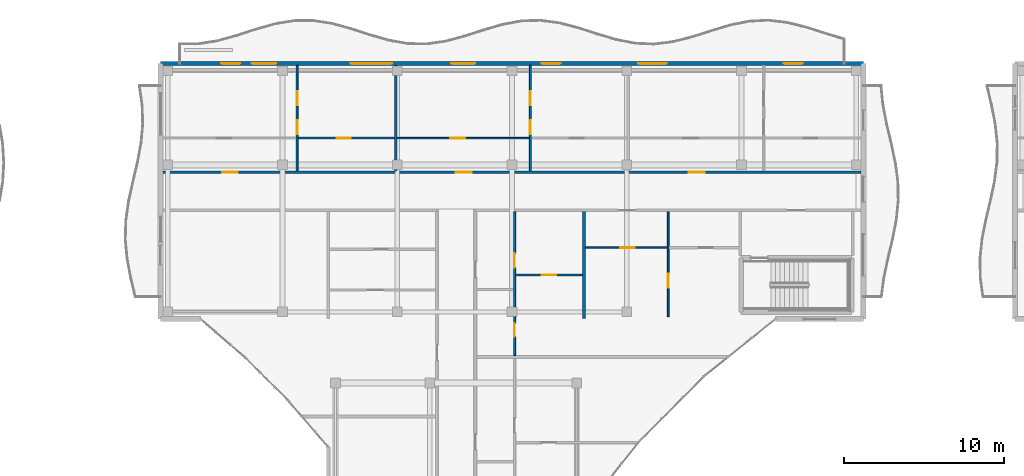
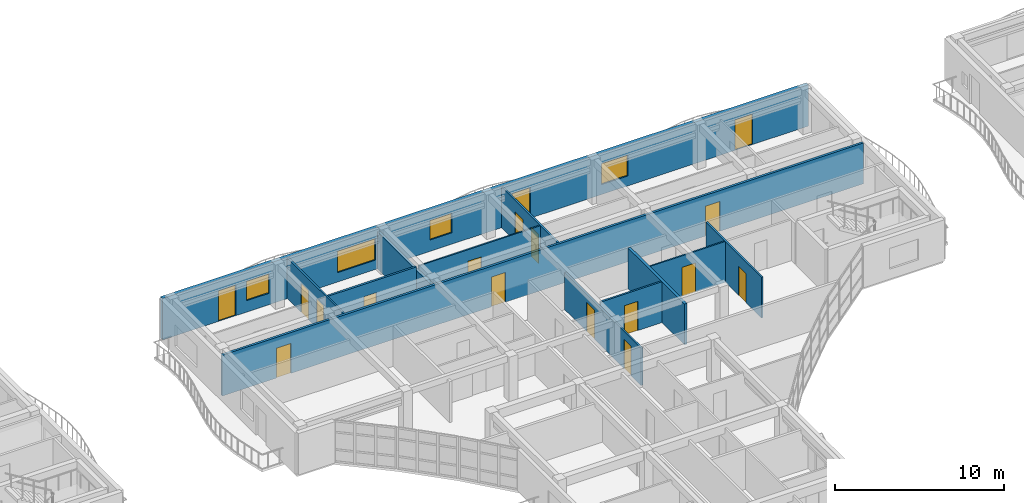
# One storey, part 40 of 72: 17 doors, 12 walls, 4 windows, 21 openings.
"""IFC4 building model written with IfcOpenShell, lengths in metres."""

from ifc_helpers import new_model, si_unit, direction, frame, frame_2d, origin, place, context, subcontext, project, spatial, rectangle, extrude, material, layer, layer_set, type_object, element, fill, save


model = new_model("IFC4")

# Units and contexts
model_context = context("Model", 3, precision=1e-05, world=origin(), true_north=direction((0.0, 1.0)))
body_context = subcontext(model_context, "Body", "Model", "MODEL_VIEW")
ifc_project = project(units=[si_unit("LENGTHUNIT", "METRE"), si_unit("AREAUNIT", "SQUARE_METRE"), si_unit("VOLUMEUNIT", "CUBIC_METRE"), si_unit("PLANEANGLEUNIT", "RADIAN"), si_unit("MASSUNIT", "GRAM", prefix="KILO")], contexts=[model_context])

# Site, building, storey
site_placement = place(None, origin())
site = spatial("IfcSite", under=ifc_project, at=site_placement, CompositionType="ELEMENT")
building_placement = place(site_placement, origin())
building = spatial("IfcBuilding", under=site, at=building_placement, Name="Keldmere Railside Commons", CompositionType="ELEMENT")
storey_placement = place(building_placement, frame((0.0, 0.0, 16.9599609375)))
storey = spatial("IfcBuildingStorey", under=building, at=storey_placement, Name="L05", CompositionType="ELEMENT", Elevation=16.9599609375)

# Walls
ifc_material_1 = material(Name="Acoustic Gypsum Board Partition", Category="gypsum")
ifc_layer_1 = layer(ifc_material_1, 0.179931640625, Name="Acoustic Demising Partition 180")
ifc_layer_set_1 = layer_set([ifc_layer_1], Name="Acoustic Gypsum Board Partition")
wall_type_1 = type_object("IfcWallType", Name="Acoustic Demising Partition 180", PredefinedType="PARTITIONING", material=ifc_layer_set_1)
wall_1_placement = place(storey_placement, frame((120.0, 100.050048828125, 0.0), z_axis=(0.0, 0.0, 1.0), x_axis=(0.0, 1.0, 0.0)))
element("IfcWall", 1, at=wall_1_placement, inside=storey, type_object=wall_type_1, Name="IW-1 IW-L05-1100", PredefinedType="PARTITIONING", context=body_context, shape_type="SweptSolid", body=[
    extrude(rectangle(XDim=6.669921875, YDim=0.179931640625, at=frame_2d((3.3349609375, 0.0))), origin(), (0.0, 0.0, 1.0), 2.93505859375),
])
wall_2_placement = place(storey_placement, frame((108.219970703125, 109.280029296875, 0.0), z_axis=(0.0, 0.0, 1.0), x_axis=(0.0, 1.0, 0.0)))
element("IfcWall", 2, at=wall_2_placement, inside=storey, type_object=wall_type_1, Name="IW-1 IW-L05-1121", PredefinedType="PARTITIONING", context=body_context, shape_type="SweptSolid", body=[
    extrude(rectangle(XDim=6.599853515625, YDim=0.179931640625, at=frame_2d((3.2998046875, 0.0))), origin(), (0.0, 0.0, 1.0), 2.679931640625),
])

# Wall, openings, doors
ifc_layer_2 = layer(ifc_material_1, 0.1201171875, Name="Apartment Interior Partition 120")
ifc_layer_set_2 = layer_set([ifc_layer_2], Name="Acoustic Gypsum Board Partition")
wall_type_2 = type_object("IfcWallType", Name="Apartment Interior Partition 120", PredefinedType="PARTITIONING", material=ifc_layer_set_2)
wall_3_placement = place(storey_placement, frame((115.659912109375, 97.7099609375, 0.0), z_axis=(0.0, 0.0, 1.0), x_axis=(0.0, 1.0, 0.0)))
wall_3 = element("IfcWall", 3, at=wall_3_placement, inside=storey, type_object=wall_type_2, Name="IW-4 IW-L05-1118", PredefinedType="PARTITIONING", context=body_context, shape_type="SweptSolid", body=[
    extrude(rectangle(XDim=9.010009765625, YDim=0.1201171875, at=frame_2d((4.5048828125, 0.0))), origin(), (0.0, 0.0, 1.0), 2.679931640625),
])
opening_1_placement = place(wall_3_placement, frame((1.173095703125, 0.0, 0.0)))
opening_1 = element("IfcOpeningElement", 4, at=opening_1_placement, cuts=wall_3, Name="Opening ID-04", PredefinedType="OPENING", context=body_context, shape_type="SweptSolid", body=[
    extrude(rectangle(XDim=0.860107421875, YDim=2.10009765625, at=frame_2d((0.43017578125, 1.050048828125))), frame((0.0, 0.070068359375, 0.0), z_axis=(0.0, -1.0, 0.0), x_axis=(1.0, 0.0, 0.0)), (0.0, 0.0, 1.0), 0.14013671875),
])
opening_2_placement = place(wall_3_placement, frame((5.503662109375, 0.0, 0.0)))
opening_2 = element("IfcOpeningElement", 5, at=opening_2_placement, cuts=wall_3, Name="Opening ID-03", PredefinedType="OPENING", context=body_context, shape_type="SweptSolid", body=[
    extrude(rectangle(XDim=0.919921875, YDim=2.10009765625, at=frame_2d((0.4599609375, 1.050048828125))), frame((0.0, 0.070068359375, 0.0), z_axis=(0.0, -1.0, 0.0), x_axis=(1.0, 0.0, 0.0)), (0.0, 0.0, 1.0), 0.14013671875),
])
ifc_material_2 = material(Name="Engineered Oak Timber", Category="wood")
door_type_1 = type_object("IfcDoorType", Name="Apartment Bathroom Door 860x2100", OperationType="NOTDEFINED", PredefinedType="DOOR", material=ifc_material_2)
door_1_placement = place(opening_1_placement, origin())
door_1 = element("IfcDoor", 6, at=door_1_placement, inside=storey, type_object=door_type_1, Name="ID-04 IDR-L05-0982", OperationType="SINGLE_SWING_RIGHT", OverallHeight=2.10009765625, OverallWidth=0.860107421875, PredefinedType="DOOR", context=body_context, shape_type="SweptSolid", body=[
    extrude(rectangle(XDim=0.860107421875, YDim=2.10009765625, at=frame_2d((0.43017578125, 1.050048828125))), frame((0.0, 0.02490234375, 0.0), z_axis=(0.0, -1.0, 0.0), x_axis=(1.0, 0.0, 0.0)), (0.0, 0.0, 1.0), 0.050048828125),
])
fill(opening_1, door_1)
door_type_2 = type_object("IfcDoorType", Name="Kitchen Pocket-Frame Swing Door 920x2100", OperationType="NOTDEFINED", PredefinedType="DOOR", material=ifc_material_2)
door_2_placement = place(opening_2_placement, origin())
door_2 = element("IfcDoor", 7, at=door_2_placement, inside=storey, type_object=door_type_2, Name="ID-03 IDR-L05-0983", OperationType="SINGLE_SWING_LEFT", OverallHeight=2.10009765625, OverallWidth=0.919921875, PredefinedType="DOOR", context=body_context, shape_type="SweptSolid", body=[
    extrude(rectangle(XDim=0.919921875, YDim=2.10009765625, at=frame_2d((0.4599609375, 1.050048828125))), frame((0.0, 0.02490234375, 0.0), z_axis=(0.0, -1.0, 0.0), x_axis=(1.0, 0.0, 0.0)), (0.0, 0.0, 1.0), 0.050048828125),
])
fill(opening_2, door_2)

# Wall, opening, door
wall_4_placement = place(storey_placement, frame((115.719970703125, 102.760009765625, 0.0), z_axis=(0.0, 0.0, 1.0), x_axis=(1.0, 0.0, 0.0)))
wall_4 = element("IfcWall", 8, at=wall_4_placement, inside=storey, type_object=wall_type_2, Name="IW-4 IW-L05-1120", PredefinedType="PARTITIONING", context=body_context, shape_type="SweptSolid", body=[
    extrude(rectangle(XDim=4.18994140625, YDim=0.1201171875, at=frame_2d((2.094970703125, 0.0))), origin(), (0.0, 0.0, 1.0), 2.93505859375),
])
opening_3_placement = place(wall_4_placement, frame((1.64501953125, 0.0, 0.0)))
opening_3 = element("IfcOpeningElement", 9, at=opening_3_placement, cuts=wall_4, Name="Opening ID-01", PredefinedType="OPENING", context=body_context, shape_type="SweptSolid", body=[
    extrude(rectangle(XDim=0.89990234375, YDim=2.10009765625, at=frame_2d((0.449951171875, 1.050048828125))), frame((0.0, 0.070068359375, 0.0), z_axis=(0.0, -1.0, 0.0), x_axis=(1.0, 0.0, 0.0)), (0.0, 0.0, 1.0), 0.14013671875),
])
door_type_3 = type_object("IfcDoorType", Name="Primary Bedroom Door 900x2100", OperationType="NOTDEFINED", PredefinedType="DOOR", material=ifc_material_2)
door_3_placement = place(opening_3_placement, origin())
door_3 = element("IfcDoor", 10, at=door_3_placement, inside=storey, type_object=door_type_3, Name="ID-01 IDR-L05-0985", OperationType="SINGLE_SWING_LEFT", OverallHeight=2.10009765625, OverallWidth=0.89990234375, PredefinedType="DOOR", context=body_context, shape_type="SweptSolid", body=[
    extrude(rectangle(XDim=0.89990234375, YDim=2.10009765625, at=frame_2d((0.449951171875, 1.050048828125))), frame((0.0, 0.02490234375, 0.0), z_axis=(0.0, -1.0, 0.0), x_axis=(1.0, 0.0, 0.0)), (0.0, 0.0, 1.0), 0.050048828125),
])
fill(opening_3, door_3)

# Wall, openings, doors
wall_5_placement = place(storey_placement, frame((102.050048828125, 109.280029296875, 0.0), z_axis=(0.0, 0.0, 1.0), x_axis=(0.0, 1.0, 0.0)))
wall_5 = element("IfcWall", 11, at=wall_5_placement, inside=storey, type_object=wall_type_2, Name="IW-4 IW-L05-1123", PredefinedType="PARTITIONING", context=body_context, shape_type="SweptSolid", body=[
    extrude(rectangle(XDim=6.599853515625, YDim=0.1201171875, at=frame_2d((3.2998046875, 0.0))), origin(), (0.0, 0.0, 1.0), 2.93505859375),
])
opening_4_placement = place(wall_5_placement, frame((2.305908203125, 0.0, 0.0)))
opening_4 = element("IfcOpeningElement", 12, at=opening_4_placement, cuts=wall_5, Name="Opening ID-04", PredefinedType="OPENING", context=body_context, shape_type="SweptSolid", body=[
    extrude(rectangle(XDim=0.860107421875, YDim=2.10009765625, at=frame_2d((0.43017578125, 1.050048828125))), frame((0.0, 0.070068359375, 0.0), z_axis=(0.0, -1.0, 0.0), x_axis=(1.0, 0.0, 0.0)), (0.0, 0.0, 1.0), 0.14013671875),
])
opening_5_placement = place(wall_5_placement, frame((4.097412109375, 0.0, 0.0)))
opening_5 = element("IfcOpeningElement", 13, at=opening_5_placement, cuts=wall_5, Name="Opening ID-01", PredefinedType="OPENING", context=body_context, shape_type="SweptSolid", body=[
    extrude(rectangle(XDim=0.89990234375, YDim=2.10009765625, at=frame_2d((0.449951171875, 1.050048828125))), frame((0.0, 0.070068359375, 0.0), z_axis=(0.0, -1.0, 0.0), x_axis=(1.0, 0.0, 0.0)), (0.0, 0.0, 1.0), 0.14013671875),
])
door_4_placement = place(opening_4_placement, origin())
door_4 = element("IfcDoor", 14, at=door_4_placement, inside=storey, type_object=door_type_1, Name="ID-04 IDR-L05-0988", OperationType="SINGLE_SWING_RIGHT", OverallHeight=2.10009765625, OverallWidth=0.860107421875, PredefinedType="DOOR", context=body_context, shape_type="SweptSolid", body=[
    extrude(rectangle(XDim=0.860107421875, YDim=2.10009765625, at=frame_2d((0.43017578125, 1.050048828125))), frame((0.0, 0.02490234375, 0.0), z_axis=(0.0, -1.0, 0.0), x_axis=(1.0, 0.0, 0.0)), (0.0, 0.0, 1.0), 0.050048828125),
])
fill(opening_4, door_4)
door_5_placement = place(opening_5_placement, origin())
door_5 = element("IfcDoor", 15, at=door_5_placement, inside=storey, type_object=door_type_3, Name="ID-01 IDR-L05-0989", OperationType="SINGLE_SWING_LEFT", OverallHeight=2.10009765625, OverallWidth=0.89990234375, PredefinedType="DOOR", context=body_context, shape_type="SweptSolid", body=[
    extrude(rectangle(XDim=0.89990234375, YDim=2.10009765625, at=frame_2d((0.449951171875, 1.050048828125))), frame((0.0, 0.02490234375, 0.0), z_axis=(0.0, -1.0, 0.0), x_axis=(1.0, 0.0, 0.0)), (0.0, 0.0, 1.0), 0.050048828125),
])
fill(opening_5, door_5)

wall_6_placement = place(storey_placement, frame((116.64990234375, 109.280029296875, 0.0), z_axis=(0.0, 0.0, 1.0), x_axis=(0.0, 1.0, 0.0)))
wall_6 = element("IfcWall", 16, at=wall_6_placement, inside=storey, type_object=wall_type_2, Name="IW-4 IW-L05-1126", PredefinedType="PARTITIONING", context=body_context, shape_type="SweptSolid", body=[
    extrude(rectangle(XDim=6.599853515625, YDim=0.1201171875, at=frame_2d((3.2998046875, 0.0))), origin(), (0.0, 0.0, 1.0), 2.93505859375),
])
opening_6_placement = place(wall_6_placement, frame((2.305908203125, 0.0, 0.0)))
opening_6 = element("IfcOpeningElement", 17, at=opening_6_placement, cuts=wall_6, Name="Opening ID-04", PredefinedType="OPENING", context=body_context, shape_type="SweptSolid", body=[
    extrude(rectangle(XDim=0.860107421875, YDim=2.10009765625, at=frame_2d((0.43017578125, 1.050048828125))), frame((0.0, 0.070068359375, 0.0), z_axis=(0.0, -1.0, 0.0), x_axis=(1.0, 0.0, 0.0)), (0.0, 0.0, 1.0), 0.14013671875),
])
opening_7_placement = place(wall_6_placement, frame((4.097412109375, 0.0, 0.0)))
opening_7 = element("IfcOpeningElement", 18, at=opening_7_placement, cuts=wall_6, Name="Opening ID-01", PredefinedType="OPENING", context=body_context, shape_type="SweptSolid", body=[
    extrude(rectangle(XDim=0.89990234375, YDim=2.10009765625, at=frame_2d((0.449951171875, 1.050048828125))), frame((0.0, 0.070068359375, 0.0), z_axis=(0.0, -1.0, 0.0), x_axis=(1.0, 0.0, 0.0)), (0.0, 0.0, 1.0), 0.14013671875),
])
door_6_placement = place(opening_6_placement, origin())
door_6 = element("IfcDoor", 19, at=door_6_placement, inside=storey, type_object=door_type_1, Name="ID-04 IDR-L05-0993", OperationType="SINGLE_SWING_LEFT", OverallHeight=2.10009765625, OverallWidth=0.860107421875, PredefinedType="DOOR", context=body_context, shape_type="SweptSolid", body=[
    extrude(rectangle(XDim=0.860107421875, YDim=2.10009765625, at=frame_2d((0.43017578125, 1.050048828125))), frame((0.0, 0.02490234375, 0.0), z_axis=(0.0, -1.0, 0.0), x_axis=(1.0, 0.0, 0.0)), (0.0, 0.0, 1.0), 0.050048828125),
])
fill(opening_6, door_6)
door_7_placement = place(opening_7_placement, origin())
door_7 = element("IfcDoor", 20, at=door_7_placement, inside=storey, type_object=door_type_3, Name="ID-01 IDR-L05-0994", OperationType="SINGLE_SWING_RIGHT", OverallHeight=2.10009765625, OverallWidth=0.89990234375, PredefinedType="DOOR", context=body_context, shape_type="SweptSolid", body=[
    extrude(rectangle(XDim=0.89990234375, YDim=2.10009765625, at=frame_2d((0.449951171875, 1.050048828125))), frame((0.0, 0.02490234375, 0.0), z_axis=(0.0, -1.0, 0.0), x_axis=(1.0, 0.0, 0.0)), (0.0, 0.0, 1.0), 0.050048828125),
])
fill(opening_7, door_7)

# Wall, opening, door
wall_7_placement = place(storey_placement, frame((125.280029296875, 100.159912109375, 0.0), z_axis=(0.0, 0.0, 1.0), x_axis=(0.0, 1.0, 0.0)))
wall_7 = element("IfcWall", 21, at=wall_7_placement, inside=storey, type_object=wall_type_2, Name="IW-4 IW-L05-1132", PredefinedType="PARTITIONING", context=body_context, shape_type="SweptSolid", body=[
    extrude(rectangle(XDim=6.56005859375, YDim=0.1201171875, at=frame_2d((3.280029296875, 0.0))), origin(), (0.0, 0.0, 1.0), 2.93505859375),
])
opening_8_placement = place(wall_7_placement, frame((1.810302734375, 0.0, 0.0)))
opening_8 = element("IfcOpeningElement", 22, at=opening_8_placement, cuts=wall_7, Name="Opening ID-02", PredefinedType="OPENING", context=body_context, shape_type="SweptSolid", body=[
    extrude(rectangle(XDim=0.8798828125, YDim=2.10009765625, at=frame_2d((0.43994140625, 1.050048828125))), frame((0.0, 0.070068359375, 0.0), z_axis=(0.0, -1.0, 0.0), x_axis=(1.0, 0.0, 0.0)), (0.0, 0.0, 1.0), 0.14013671875),
])
door_type_4 = type_object("IfcDoorType", Name="Secondary Bedroom Door 880x2100", OperationType="NOTDEFINED", PredefinedType="DOOR", material=ifc_material_2)
door_8_placement = place(opening_8_placement, origin())
door_8 = element("IfcDoor", 23, at=door_8_placement, inside=storey, type_object=door_type_4, Name="ID-02 IDR-L05-1003", OperationType="SINGLE_SWING_LEFT", OverallHeight=2.10009765625, OverallWidth=0.8798828125, PredefinedType="DOOR", context=body_context, shape_type="SweptSolid", body=[
    extrude(rectangle(XDim=0.8798828125, YDim=2.10009765625, at=frame_2d((0.43994140625, 1.050048828125))), frame((0.0, 0.02490234375, 0.0), z_axis=(0.0, -1.0, 0.0), x_axis=(1.0, 0.0, 0.0)), (0.0, 0.0, 1.0), 0.050048828125),
])
fill(opening_8, door_8)

ifc_layer_3 = layer(ifc_material_1, 0.10009765625, Name="Closet Light Partition 100")
ifc_layer_set_3 = layer_set([ifc_layer_3], Name="Acoustic Gypsum Board Partition")
wall_type_3 = type_object("IfcWallType", Name="Closet Light Partition 100", PredefinedType="PARTITIONING", material=ifc_layer_set_3)
wall_8_placement = place(storey_placement, frame((108.31005859375, 111.330078125, 0.0), z_axis=(0.0, 0.0, 1.0), x_axis=(1.0, 0.0, 0.0)))
wall_8 = element("IfcWall", 24, at=wall_8_placement, inside=storey, type_object=wall_type_3, Name="IW-6 IW-L05-1128", PredefinedType="PARTITIONING", context=body_context, shape_type="SweptSolid", body=[
    extrude(rectangle(XDim=8.280029296875, YDim=0.10009765625, at=frame_2d((4.14013671875, 0.0))), origin(), (0.0, 0.0, 1.0), 2.93505859375),
])
opening_9_placement = place(wall_8_placement, frame((3.3359375, 0.0, 0.0)))
opening_9 = element("IfcOpeningElement", 25, at=opening_9_placement, cuts=wall_8, Name="Opening ID-03", PredefinedType="OPENING", context=body_context, shape_type="SweptSolid", body=[
    extrude(rectangle(XDim=0.919921875, YDim=2.10009765625, at=frame_2d((0.4599609375, 1.050048828125))), frame((0.0, 0.06005859375, 0.0), z_axis=(0.0, -1.0, 0.0), x_axis=(1.0, 0.0, 0.0)), (0.0, 0.0, 1.0), 0.1201171875),
])
door_9_placement = place(opening_9_placement, origin())
door_9 = element("IfcDoor", 26, at=door_9_placement, inside=storey, type_object=door_type_2, Name="ID-03 IDR-L05-0992", OperationType="SINGLE_SWING_RIGHT", OverallHeight=2.10009765625, OverallWidth=0.919921875, PredefinedType="DOOR", context=body_context, shape_type="SweptSolid", body=[
    extrude(rectangle(XDim=0.919921875, YDim=2.10009765625, at=frame_2d((0.4599609375, 1.050048828125))), frame((0.0, 0.02490234375, 0.0), z_axis=(0.0, -1.0, 0.0), x_axis=(1.0, 0.0, 0.0)), (0.0, 0.0, 1.0), 0.050048828125),
])
fill(opening_9, door_9)

wall_9_placement = place(storey_placement, frame((120.090087890625, 104.469970703125, 0.0), z_axis=(0.0, 0.0, 1.0), x_axis=(1.0, 0.0, 0.0)))
wall_9 = element("IfcWall", 27, at=wall_9_placement, inside=storey, type_object=wall_type_3, Name="IW-6 IW-L05-1134", PredefinedType="PARTITIONING", context=body_context, shape_type="SweptSolid", body=[
    extrude(rectangle(XDim=5.1298828125, YDim=0.10009765625, at=frame_2d((2.56494140625, 0.0))), origin(), (0.0, 0.0, 1.0), 2.93505859375),
])
opening_10_placement = place(wall_9_placement, frame((2.1796875, 0.0, 0.0)))
opening_10 = element("IfcOpeningElement", 28, at=opening_10_placement, cuts=wall_9, Name="Opening ID-03", PredefinedType="OPENING", context=body_context, shape_type="SweptSolid", body=[
    extrude(rectangle(XDim=0.919921875, YDim=2.10009765625, at=frame_2d((0.4599609375, 1.050048828125))), frame((0.0, 0.06005859375, 0.0), z_axis=(0.0, -1.0, 0.0), x_axis=(1.0, 0.0, 0.0)), (0.0, 0.0, 1.0), 0.1201171875),
])
door_10_placement = place(opening_10_placement, origin())
door_10 = element("IfcDoor", 29, at=door_10_placement, inside=storey, type_object=door_type_2, Name="ID-03 IDR-L05-1002", OperationType="SINGLE_SWING_RIGHT", OverallHeight=2.10009765625, OverallWidth=0.919921875, PredefinedType="DOOR", context=body_context, shape_type="SweptSolid", body=[
    extrude(rectangle(XDim=0.919921875, YDim=2.10009765625, at=frame_2d((0.4599609375, 1.050048828125))), frame((0.0, 0.02490234375, 0.0), z_axis=(0.0, -1.0, 0.0), x_axis=(1.0, 0.0, 0.0)), (0.0, 0.0, 1.0), 0.050048828125),
])
fill(opening_10, door_10)

# Wall, openings, doors
ifc_layer_4 = layer(ifc_material_1, 0.159912109375, Name="Corridor Fire Partition 160")
ifc_layer_set_4 = layer_set([ifc_layer_4], Name="Acoustic Gypsum Board Partition")
wall_type_4 = type_object("IfcWallType", Name="Corridor Fire Partition 160", PredefinedType="PARTITIONING", material=ifc_layer_set_4)
wall_10_placement = place(storey_placement, frame((93.659912109375, 109.199951171875, 0.0), z_axis=(0.0, 0.0, 1.0), x_axis=(1.0, 0.0, 0.0)))
wall_10 = element("IfcWall", 30, at=wall_10_placement, inside=storey, type_object=wall_type_4, Name="IW-2 IW-L05-1099", PredefinedType="PARTITIONING", context=body_context, shape_type="SweptSolid", body=[
    extrude(rectangle(XDim=43.68017578125, YDim=0.159912109375, at=frame_2d((21.840087890625, 0.0))), origin(), (0.0, 0.0, 1.0), 2.93505859375),
])
opening_11_placement = place(wall_10_placement, frame((3.705078125, 0.0, 0.0)))
opening_11 = element("IfcOpeningElement", 31, at=opening_11_placement, cuts=wall_10, Name="Opening FD-7", PredefinedType="OPENING", context=body_context, shape_type="SweptSolid", body=[
    extrude(rectangle(XDim=0.97998046875, YDim=2.14990234375, at=frame_2d((0.489990234375, 1.074951171875))), frame((0.0, 0.08984375, 0.0), z_axis=(0.0, -1.0, 0.0), x_axis=(1.0, 0.0, 0.0)), (0.0, 0.0, 1.0), 0.179931640625),
])
opening_12_placement = place(wall_10_placement, frame((18.330078125, 0.0, 0.0)))
opening_12 = element("IfcOpeningElement", 32, at=opening_12_placement, cuts=wall_10, Name="Opening FD-7", PredefinedType="OPENING", context=body_context, shape_type="SweptSolid", body=[
    extrude(rectangle(XDim=0.97998046875, YDim=2.14990234375, at=frame_2d((0.489990234375, 1.074951171875))), frame((0.0, 0.08984375, 0.0), z_axis=(0.0, -1.0, 0.0), x_axis=(1.0, 0.0, 0.0)), (0.0, 0.0, 1.0), 0.179931640625),
])
opening_13_placement = place(wall_10_placement, frame((32.9150390625, 0.0, 0.0)))
opening_13 = element("IfcOpeningElement", 33, at=opening_13_placement, cuts=wall_10, Name="Opening FD-7", PredefinedType="OPENING", context=body_context, shape_type="SweptSolid", body=[
    extrude(rectangle(XDim=0.97998046875, YDim=2.14990234375, at=frame_2d((0.489990234375, 1.074951171875))), frame((0.0, 0.08984375, 0.0), z_axis=(0.0, -1.0, 0.0), x_axis=(1.0, 0.0, 0.0)), (0.0, 0.0, 1.0), 0.179931640625),
])
door_type_5 = type_object("IfcDoorType", Name="Apartment Entrance Acoustic Fire Door 980x2150", OperationType="NOTDEFINED", PredefinedType="DOOR", material=ifc_material_2)
door_11_placement = place(opening_11_placement, origin())
door_11 = element("IfcDoor", 34, at=door_11_placement, inside=storey, type_object=door_type_5, Name="FD-7 IDR-L05-0986", OperationType="SINGLE_SWING_RIGHT", OverallHeight=2.14990234375, OverallWidth=0.97998046875, PredefinedType="DOOR", context=body_context, shape_type="SweptSolid", body=[
    extrude(rectangle(XDim=0.97998046875, YDim=2.14990234375, at=frame_2d((0.489990234375, 1.074951171875))), frame((0.0, 0.02490234375, 0.0), z_axis=(0.0, -1.0, 0.0), x_axis=(1.0, 0.0, 0.0)), (0.0, 0.0, 1.0), 0.050048828125),
])
fill(opening_11, door_11)
door_12_placement = place(opening_12_placement, origin())
door_12 = element("IfcDoor", 35, at=door_12_placement, inside=storey, type_object=door_type_5, Name="FD-7 IDR-L05-0991", OperationType="SINGLE_SWING_LEFT", OverallHeight=2.14990234375, OverallWidth=0.97998046875, PredefinedType="DOOR", context=body_context, shape_type="SweptSolid", body=[
    extrude(rectangle(XDim=0.97998046875, YDim=2.14990234375, at=frame_2d((0.489990234375, 1.074951171875))), frame((0.0, 0.02490234375, 0.0), z_axis=(0.0, -1.0, 0.0), x_axis=(1.0, 0.0, 0.0)), (0.0, 0.0, 1.0), 0.050048828125),
])
fill(opening_12, door_12)
door_13_placement = place(opening_13_placement, origin())
door_13 = element("IfcDoor", 36, at=door_13_placement, inside=storey, type_object=door_type_5, Name="FD-7 IDR-L05-0996", OperationType="SINGLE_SWING_RIGHT", OverallHeight=2.14990234375, OverallWidth=0.97998046875, PredefinedType="DOOR", context=body_context, shape_type="SweptSolid", body=[
    extrude(rectangle(XDim=0.97998046875, YDim=2.14990234375, at=frame_2d((0.489990234375, 1.074951171875))), frame((0.0, 0.02490234375, 0.0), z_axis=(0.0, -1.0, 0.0), x_axis=(1.0, 0.0, 0.0)), (0.0, 0.0, 1.0), 0.050048828125),
])
fill(opening_13, door_13)

# Wall, openings, doors, windows
ifc_material_3 = material(Name="Architectural Precast Concrete H-35 (C35/45)", Category="concrete")
ifc_layer_5 = layer(ifc_material_3, 0.239990234375, Name="Sand-Ochre Precast Cavity Wall 240")
ifc_layer_set_5 = layer_set([ifc_layer_5], Name="Architectural Precast Concrete H-35 (C35/45)")
wall_type_5 = type_object("IfcWallType", Name="Sand-Ochre Precast Cavity Wall 240", PredefinedType="SOLIDWALL", material=ifc_layer_set_5)
wall_11_placement = place(storey_placement, frame((93.5, 116.0, 0.0), z_axis=(0.0, 0.0, 1.0), x_axis=(1.0, 0.0, 0.0)))
wall_11 = element("IfcWall", 37, at=wall_11_placement, inside=storey, type_object=wall_type_5, Name="EW-2 EXTB-L05-0624", PredefinedType="SOLIDWALL", context=body_context, shape_type="SweptSolid", body=[
    extrude(rectangle(XDim=44.0, YDim=0.239990234375, at=frame_2d((22.0, 0.0))), origin(), (0.0, 0.0, 1.0), 2.97998046875),
])
opening_14_placement = place(wall_11_placement, frame((3.800048828125, 0.0, 0.0)))
opening_14 = element("IfcOpeningElement", 38, at=opening_14_placement, cuts=wall_11, Name="Opening BD-01", PredefinedType="OPENING", context=body_context, shape_type="SweptSolid", body=[
    extrude(rectangle(XDim=1.199951171875, YDim=2.199951171875, at=frame_2d((0.60009765625, 1.10009765625))), frame((0.0, 0.1298828125, 0.0), z_axis=(0.0, -1.0, 0.0), x_axis=(1.0, 0.0, 0.0)), (0.0, 0.0, 1.0), 0.260009765625),
])
opening_15_placement = place(wall_11_placement, frame((5.699951171875, 0.0, 0.820068359375)))
opening_15 = element("IfcOpeningElement", 39, at=opening_15_placement, cuts=wall_11, Name="Opening WN-07", PredefinedType="OPENING", context=body_context, shape_type="SweptSolid", body=[
    extrude(rectangle(XDim=1.550048828125, YDim=1.39990234375, at=frame_2d((0.77490234375, 0.699951171875))), frame((0.0, 0.1298828125, 0.0), z_axis=(0.0, -1.0, 0.0), x_axis=(1.0, 0.0, 0.0)), (0.0, 0.0, 1.0), 0.260009765625),
])
opening_16_placement = place(wall_11_placement, frame((11.89990234375, 0.0, 0.669921875)))
opening_16 = element("IfcOpeningElement", 40, at=opening_16_placement, cuts=wall_11, Name="Opening WN-39", PredefinedType="OPENING", context=body_context, shape_type="SweptSolid", body=[
    extrude(rectangle(XDim=2.60009765625, YDim=1.550048828125, at=frame_2d((1.300048828125, 0.77490234375))), frame((0.0, 0.1298828125, 0.0), z_axis=(0.0, -1.0, 0.0), x_axis=(1.0, 0.0, 0.0)), (0.0, 0.0, 1.0), 0.260009765625),
])
opening_17_placement = place(wall_11_placement, frame((23.85009765625, 0.0, 0.0)))
opening_17 = element("IfcOpeningElement", 41, at=opening_17_placement, cuts=wall_11, Name="Opening BD-01", PredefinedType="OPENING", context=body_context, shape_type="SweptSolid", body=[
    extrude(rectangle(XDim=1.199951171875, YDim=2.199951171875, at=frame_2d((0.60009765625, 1.10009765625))), frame((0.0, 0.1298828125, 0.0), z_axis=(0.0, -1.0, 0.0), x_axis=(1.0, 0.0, 0.0)), (0.0, 0.0, 1.0), 0.260009765625),
])
opening_18_placement = place(wall_11_placement, frame((29.89990234375, 0.0, 0.719970703125)))
opening_18 = element("IfcOpeningElement", 42, at=opening_18_placement, cuts=wall_11, Name="Opening WN-01", PredefinedType="OPENING", context=body_context, shape_type="SweptSolid", body=[
    extrude(rectangle(XDim=1.800048828125, YDim=1.5, at=frame_2d((0.89990234375, 0.75))), frame((0.0, 0.1298828125, 0.0), z_axis=(0.0, -1.0, 0.0), x_axis=(1.0, 0.0, 0.0)), (0.0, 0.0, 1.0), 0.260009765625),
])
opening_19_placement = place(wall_11_placement, frame((39.0, 0.0, 0.0)))
opening_19 = element("IfcOpeningElement", 43, at=opening_19_placement, cuts=wall_11, Name="Opening BD-01", PredefinedType="OPENING", context=body_context, shape_type="SweptSolid", body=[
    extrude(rectangle(XDim=1.199951171875, YDim=2.199951171875, at=frame_2d((0.60009765625, 1.10009765625))), frame((0.0, 0.1298828125, 0.0), z_axis=(0.0, -1.0, 0.0), x_axis=(1.0, 0.0, 0.0)), (0.0, 0.0, 1.0), 0.260009765625),
])
opening_20_placement = place(wall_11_placement, frame((18.205078125, 0.0, 0.820068359375)))
opening_20 = element("IfcOpeningElement", 44, at=opening_20_placement, cuts=wall_11, Name="Opening WN-06", PredefinedType="OPENING", context=body_context, shape_type="SweptSolid", body=[
    extrude(rectangle(XDim=1.5, YDim=1.39990234375, at=frame_2d((0.75, 0.699951171875))), frame((0.0, 0.1298828125, 0.0), z_axis=(0.0, -1.0, 0.0), x_axis=(1.0, 0.0, 0.0)), (0.0, 0.0, 1.0), 0.260009765625),
])
ifc_material_4 = material(Name="Thermally Broken Aluminium", Category="aluminium")
door_type_6 = type_object("IfcDoorType", Name="Apartment Living Wave-Balcony Glazed Door 1200x2200", OperationType="NOTDEFINED", PredefinedType="DOOR", material=ifc_material_4)
door_14_placement = place(opening_14_placement, origin())
door_14 = element("IfcDoor", 45, at=door_14_placement, inside=storey, type_object=door_type_6, Name="BD-01 DR-L05-0163", OperationType="SINGLE_SWING_LEFT", OverallHeight=2.199951171875, OverallWidth=1.199951171875, PredefinedType="DOOR", context=body_context, shape_type="SweptSolid", body=[
    extrude(rectangle(XDim=1.199951171875, YDim=2.199951171875, at=frame_2d((0.60009765625, 1.10009765625))), frame((0.0, 0.02490234375, 0.0), z_axis=(0.0, -1.0, 0.0), x_axis=(1.0, 0.0, 0.0)), (0.0, 0.0, 1.0), 0.050048828125),
])
fill(opening_14, door_14)
door_15_placement = place(opening_17_placement, origin())
door_15 = element("IfcDoor", 46, at=door_15_placement, inside=storey, type_object=door_type_6, Name="BD-01 DR-L05-0164", OperationType="SINGLE_SWING_RIGHT", OverallHeight=2.199951171875, OverallWidth=1.199951171875, PredefinedType="DOOR", context=body_context, shape_type="SweptSolid", body=[
    extrude(rectangle(XDim=1.199951171875, YDim=2.199951171875, at=frame_2d((0.60009765625, 1.10009765625))), frame((0.0, 0.02490234375, 0.0), z_axis=(0.0, -1.0, 0.0), x_axis=(1.0, 0.0, 0.0)), (0.0, 0.0, 1.0), 0.050048828125),
])
fill(opening_17, door_15)
door_16_placement = place(opening_19_placement, origin())
door_16 = element("IfcDoor", 47, at=door_16_placement, inside=storey, type_object=door_type_6, Name="BD-01 DR-L05-0165", OperationType="SINGLE_SWING_LEFT", OverallHeight=2.199951171875, OverallWidth=1.199951171875, PredefinedType="DOOR", context=body_context, shape_type="SweptSolid", body=[
    extrude(rectangle(XDim=1.199951171875, YDim=2.199951171875, at=frame_2d((0.60009765625, 1.10009765625))), frame((0.0, 0.02490234375, 0.0), z_axis=(0.0, -1.0, 0.0), x_axis=(1.0, 0.0, 0.0)), (0.0, 0.0, 1.0), 0.050048828125),
])
fill(opening_19, door_16)
ifc_material_5 = material(Name="Low-E Insulated Double Glazing", Category="glass")
window_type_1 = type_object("IfcWindowType", Name="Living Room North Casement Window 1800x1500", PartitioningType="SINGLE_PANEL", PredefinedType="WINDOW", material=ifc_material_5)
window_1_placement = place(opening_18_placement, origin())
window_1 = element("IfcWindow", 48, at=window_1_placement, inside=storey, type_object=window_type_1, Name="WN-01 WIN-L05-0447", OverallHeight=1.5, OverallWidth=1.800048828125, PartitioningType="SINGLE_PANEL", PredefinedType="WINDOW", context=body_context, shape_type="SweptSolid", body=[
    extrude(rectangle(XDim=1.800048828125, YDim=1.5, at=frame_2d((0.89990234375, 0.75))), frame((0.0, 0.030029296875, 0.0), z_axis=(0.0, -1.0, 0.0), x_axis=(1.0, 0.0, 0.0)), (0.0, 0.0, 1.0), 0.06005859375),
])
fill(opening_18, window_1)
window_type_2 = type_object("IfcWindowType", Name="Primary Bedroom North Window 1500x1400", PartitioningType="SINGLE_PANEL", PredefinedType="WINDOW", material=ifc_material_5)
window_2_placement = place(opening_20_placement, origin())
window_2 = element("IfcWindow", 49, at=window_2_placement, inside=storey, type_object=window_type_2, Name="WN-06 WIN-L05-9046", OverallHeight=1.39990234375, OverallWidth=1.5, PartitioningType="SINGLE_PANEL", PredefinedType="WINDOW", context=body_context, shape_type="SweptSolid", body=[
    extrude(rectangle(XDim=1.5, YDim=1.39990234375, at=frame_2d((0.75, 0.699951171875))), frame((0.0, 0.030029296875, 0.0), z_axis=(0.0, -1.0, 0.0), x_axis=(1.0, 0.0, 0.0)), (0.0, 0.0, 1.0), 0.06005859375),
])
fill(opening_20, window_2)
window_type_3 = type_object("IfcWindowType", Name="Primary Bedroom South Window 1550x1400", PartitioningType="SINGLE_PANEL", PredefinedType="WINDOW", material=ifc_material_5)
window_3_placement = place(opening_15_placement, origin())
window_3 = element("IfcWindow", 50, at=window_3_placement, inside=storey, type_object=window_type_3, Name="WN-07 WIN-L05-0445", OverallHeight=1.39990234375, OverallWidth=1.550048828125, PartitioningType="SINGLE_PANEL", PredefinedType="WINDOW", context=body_context, shape_type="SweptSolid", body=[
    extrude(rectangle(XDim=1.550048828125, YDim=1.39990234375, at=frame_2d((0.77490234375, 0.699951171875))), frame((0.0, 0.030029296875, 0.0), z_axis=(0.0, -1.0, 0.0), x_axis=(1.0, 0.0, 0.0)), (0.0, 0.0, 1.0), 0.06005859375),
])
fill(opening_15, window_3)
window_type_4 = type_object("IfcWindowType", Name="Three-Bed Corner Living Window 2600x1550", PartitioningType="SINGLE_PANEL", PredefinedType="WINDOW", material=ifc_material_5)
window_4_placement = place(opening_16_placement, origin())
window_4 = element("IfcWindow", 51, at=window_4_placement, inside=storey, type_object=window_type_4, Name="WN-39 WIN-L05-0446", OverallHeight=1.550048828125, OverallWidth=2.60009765625, PartitioningType="SINGLE_PANEL", PredefinedType="WINDOW", context=body_context, shape_type="SweptSolid", body=[
    extrude(rectangle(XDim=2.60009765625, YDim=1.550048828125, at=frame_2d((1.300048828125, 0.77490234375))), frame((0.0, 0.030029296875, 0.0), z_axis=(0.0, -1.0, 0.0), x_axis=(1.0, 0.0, 0.0)), (0.0, 0.0, 1.0), 0.06005859375),
])
fill(opening_16, window_4)

# Wall, opening, door
ifc_layer_6 = layer(ifc_material_1, 0.139892578125, Name="Wet-Room Sanitary Partition 140")
ifc_layer_set_6 = layer_set([ifc_layer_6], Name="Acoustic Gypsum Board Partition")
wall_type_6 = type_object("IfcWallType", Name="Wet-Room Sanitary Partition 140", PredefinedType="PARTITIONING", material=ifc_layer_set_6)
wall_12_placement = place(storey_placement, frame((102.110107421875, 111.330078125, 0.0), z_axis=(0.0, 0.0, 1.0), x_axis=(1.0, 0.0, 0.0)))
wall_12 = element("IfcWall", 52, at=wall_12_placement, inside=storey, type_object=wall_type_6, Name="IW-5 IW-L05-1124", PredefinedType="PARTITIONING", context=body_context, shape_type="SweptSolid", body=[
    extrude(rectangle(XDim=6.019775390625, YDim=0.139892578125, at=frame_2d((3.009765625, 0.0))), origin(), (0.0, 0.0, 1.0), 2.93505859375),
])
opening_21_placement = place(wall_12_placement, frame((2.431884765625, 0.0, 0.0)))
opening_21 = element("IfcOpeningElement", 53, at=opening_21_placement, cuts=wall_12, Name="Opening ID-06", PredefinedType="OPENING", context=body_context, shape_type="SweptSolid", body=[
    extrude(rectangle(XDim=0.85009765625, YDim=2.050048828125, at=frame_2d((0.425048828125, 1.02490234375))), frame((0.0, 0.079833984375, 0.0), z_axis=(0.0, -1.0, 0.0), x_axis=(1.0, 0.0, 0.0)), (0.0, 0.0, 1.0), 0.159912109375),
])
door_type_7 = type_object("IfcDoorType", Name="Storage Closet Door 850x2050", OperationType="NOTDEFINED", PredefinedType="DOOR", material=ifc_material_2)
door_17_placement = place(opening_21_placement, origin())
door_17 = element("IfcDoor", 54, at=door_17_placement, inside=storey, type_object=door_type_7, Name="ID-06 IDR-L05-0990", OperationType="SINGLE_SWING_RIGHT", OverallHeight=2.050048828125, OverallWidth=0.85009765625, PredefinedType="DOOR", context=body_context, shape_type="SweptSolid", body=[
    extrude(rectangle(XDim=0.85009765625, YDim=2.050048828125, at=frame_2d((0.425048828125, 1.02490234375))), frame((0.0, 0.02490234375, 0.0), z_axis=(0.0, -1.0, 0.0), x_axis=(1.0, 0.0, 0.0)), (0.0, 0.0, 1.0), 0.050048828125),
])
fill(opening_21, door_17)

save(model, "model.ifc")
